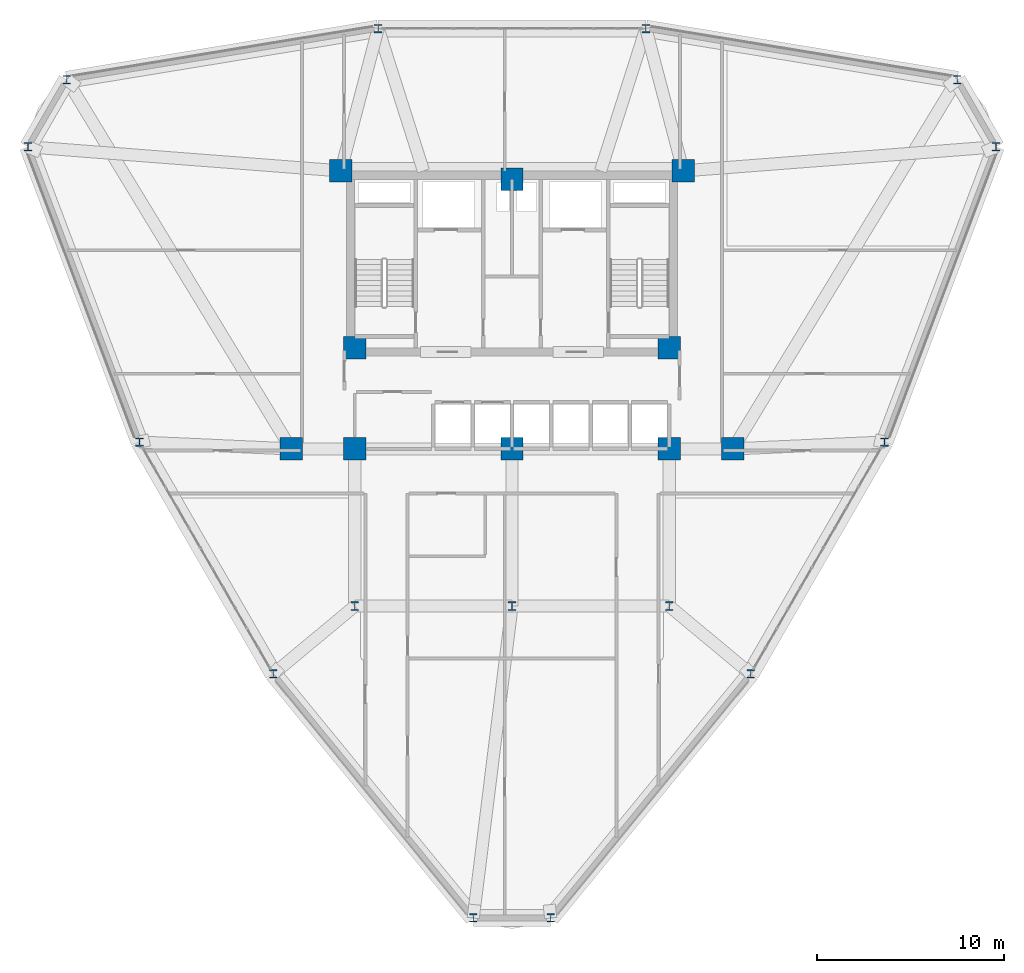
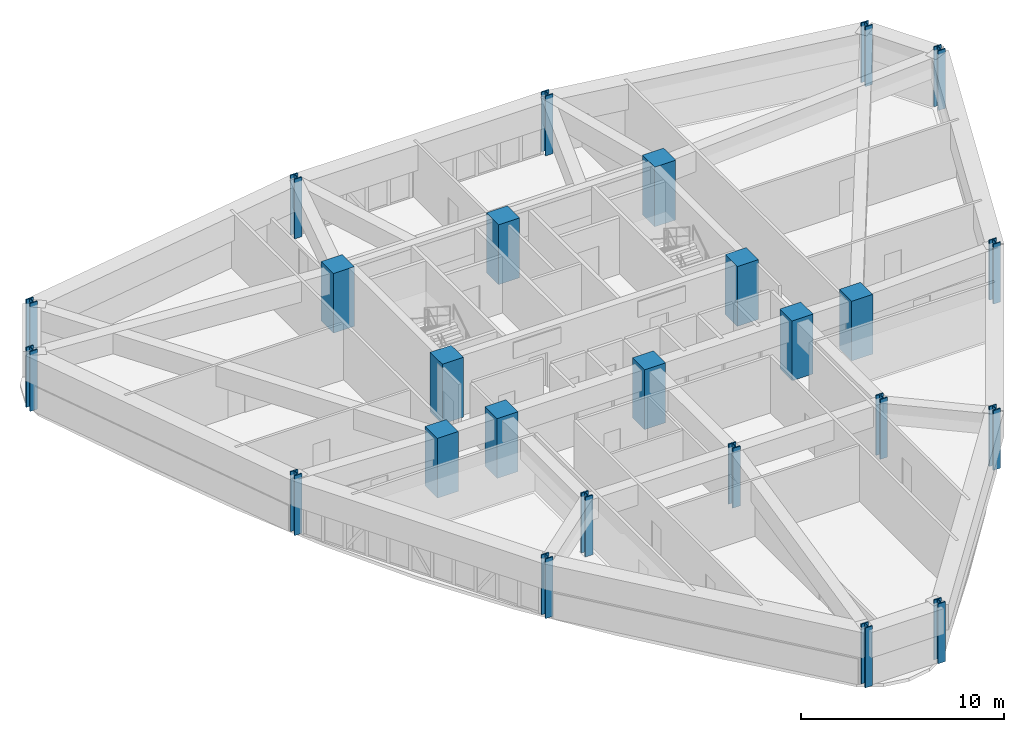
# One storey, part 1 of 16: 25 columns.
"""IFC4 building model written with IfcOpenShell, lengths in metres."""

import ifcopenshell
import ifcopenshell.guid

model = None  # the IFC model being written
_history = None  # IfcOwnerHistory: only IFC2X3 demands one
_inside = {}  # id of a spatial element -> (the spatial element, [elements in it])
_under = {}  # id of a project, library or spatial element -> (it, [spatial elements below it])
_declared = {}  # id of a project -> (the project, [libraries it declares])
_typed = {}  # id of a type object -> (the type object, [elements of that type])
_made_of = {}  # id of a material, layer set ... -> (it, [elements and type objects made of it])


def new_model(schema):
    """Start an empty IFC model of exactly this schema.

    Asked for "IFC4X3", IfcOpenShell would pick the latest addendum, in which some entities
    have other attributes; the version numbers below select the first issue.
    IFC2X3 requires an IfcOwnerHistory on every rooted entity: one is made here for all.
    """
    global model, _history
    if schema == "IFC4X3":
        model = ifcopenshell.file(schema_version=(4, 3, 0, 0))
    else:
        model = ifcopenshell.file(schema=schema)
    _inside.clear()
    _under.clear()
    _declared.clear()
    _typed.clear()
    _made_of.clear()
    _history = None
    if model.schema == "IFC2X3":
        org = make("IfcOrganization", Name="unknown")
        user = make(
            "IfcPersonAndOrganization",
            ThePerson=make("IfcPerson", FamilyName="unknown"),
            TheOrganization=org,
        )
        app = make(
            "IfcApplication",
            ApplicationDeveloper=org,
            Version="unknown",
            ApplicationFullName="unknown",
            ApplicationIdentifier="unknown",
        )
        _history = make(
            "IfcOwnerHistory",
            OwningUser=user,
            OwningApplication=app,
            ChangeAction="ADDED",
            CreationDate=0,
        )
    return model


def make(cls, **values):
    """One entity of the class cls with the attributes given. An attribute that is None is left unset."""
    return model.create_entity(
        cls, **{name: value for name, value in values.items() if value is not None}
    )


def rooted(cls, **values):
    """An entity with a GlobalId (a new one), such as an element, a storey or a relation."""
    return make(cls, GlobalId=ifcopenshell.guid.new(), OwnerHistory=_history, **values)


def si_unit(unit_type, name, prefix=None):
    """IfcSIUnit, for example si_unit("LENGTHUNIT", "METRE", prefix="MILLI")."""
    return make("IfcSIUnit", UnitType=unit_type, Prefix=prefix, Name=name)


def derived_unit(unit_type, elements):
    """IfcDerivedUnit: a product of units, each with its exponent."""
    return make(
        "IfcDerivedUnit",
        Elements=[
            make("IfcDerivedUnitElement", Unit=unit, Exponent=power)
            for unit, power in elements
        ],
        UnitType=unit_type,
    )


def assignment(units):
    """IfcUnitAssignment: the units of a project."""
    return None if units is None else make("IfcUnitAssignment", Units=units)


def point(xyz):
    """IfcCartesianPoint."""
    return None if xyz is None else make("IfcCartesianPoint", Coordinates=xyz)


def direction(xyz):
    """IfcDirection."""
    return None if xyz is None else make("IfcDirection", DirectionRatios=xyz)


def frame(location, z_axis=None, x_axis=None):
    """IfcAxis2Placement3D, a coordinate frame: its origin and axes. An axis left out is left unset."""
    return make(
        "IfcAxis2Placement3D",
        Location=point(location),
        Axis=direction(z_axis),
        RefDirection=direction(x_axis),
    )


def frame_2d(location, x_axis=None):
    """IfcAxis2Placement2D, a coordinate frame in the plane: its origin and x axis."""
    return make(
        "IfcAxis2Placement2D", Location=point(location), RefDirection=direction(x_axis)
    )


def origin():
    """The frame at (0, 0, 0) with its axes left unset."""
    return frame((0.0, 0.0, 0.0))


def origin_2d():
    """The frame at (0, 0) in the plane with its x axis left unset."""
    return frame_2d((0.0, 0.0))


def place(relative_to, where):
    """IfcLocalPlacement: puts the frame where relative to a parent placement (None: the world)."""
    return make(
        "IfcLocalPlacement", PlacementRelTo=relative_to, RelativePlacement=where
    )


def context(
    kind, dimensions, precision=None, world=None, true_north=None, identifier=None
):
    """IfcGeometricRepresentationContext, for example the 3D "Model" context."""
    return make(
        "IfcGeometricRepresentationContext",
        ContextIdentifier=identifier,
        ContextType=kind,
        CoordinateSpaceDimension=dimensions,
        Precision=precision,
        WorldCoordinateSystem=world,
        TrueNorth=true_north,
    )


def subcontext(parent, identifier, kind, view, scale=None):
    """IfcGeometricRepresentationSubContext, for example "Body" below "Model"."""
    return make(
        "IfcGeometricRepresentationSubContext",
        ContextIdentifier=identifier,
        ContextType=kind,
        ParentContext=parent,
        TargetScale=scale,
        TargetView=view,
    )


def project(units=None, contexts=None):
    """IfcProject with its units and contexts."""
    return rooted(
        "IfcProject",
        Name="project",
        RepresentationContexts=contexts,
        UnitsInContext=assignment(units),
    )


def spatial(cls, under=None, at=None, **own):
    """A site, building, storey or space (cls), placed at a placement, below another one or the project."""
    s = rooted(cls, ObjectPlacement=at, **own)
    if under is not None:
        _under.setdefault(under.id(), (under, []))[1].append(s)
    return s


def profile(cls, at=None, kind="AREA", **sizes):
    """A parametric profile (cls). Its sizes go by their IFC names, for example OverallWidth=200.0."""
    return make(cls, ProfileType=kind, Position=at, **sizes)


def rectangle(**sizes):
    """IfcRectangleProfileDef."""
    return profile("IfcRectangleProfileDef", **sizes)


def i_section(**sizes):
    """IfcIShapeProfileDef."""
    return profile("IfcIShapeProfileDef", **sizes)


def extrude(swept, where, along, depth):
    """IfcExtrudedAreaSolid: the profile swept, set in the frame where, extruded along a direction by depth."""
    return make(
        "IfcExtrudedAreaSolid",
        SweptArea=swept,
        Position=where,
        ExtrudedDirection=direction(along),
        Depth=depth,
    )


def shape(context_of_items, identifier, shape_type, items):
    """IfcShapeRepresentation: the items that make up one representation, for example the "Body"."""
    return make(
        "IfcShapeRepresentation",
        ContextOfItems=context_of_items,
        RepresentationIdentifier=identifier,
        RepresentationType=shape_type,
        Items=items,
    )


def source(mapping_origin, context_of_items, identifier, shape_type, items):
    """IfcRepresentationMap: a shape defined once, which mapped items show again and again."""
    return make(
        "IfcRepresentationMap",
        MappingOrigin=mapping_origin,
        MappedRepresentation=shape(context_of_items, identifier, shape_type, items),
    )


def transform(
    local_origin,
    x_axis=None,
    y_axis=None,
    z_axis=None,
    scale=None,
    scale2=None,
    scale3=None,
    uniform=True,
):
    """IfcCartesianTransformationOperator3D, or its non-uniform kind. x_axis, y_axis, z_axis: its Axis1, 2, 3."""
    if uniform:
        return make(
            "IfcCartesianTransformationOperator3D",
            Axis1=direction(x_axis),
            Axis2=direction(y_axis),
            LocalOrigin=point(local_origin),
            Scale=scale,
            Axis3=direction(z_axis),
        )
    return make(
        "IfcCartesianTransformationOperator3DnonUniform",
        Axis1=direction(x_axis),
        Axis2=direction(y_axis),
        LocalOrigin=point(local_origin),
        Scale=scale,
        Axis3=direction(z_axis),
        Scale2=scale2,
        Scale3=scale3,
    )


def mapped(mapping_source, mapping_target):
    """IfcMappedItem: shows the shape of a source again, moved by a transform."""
    return make(
        "IfcMappedItem", MappingSource=mapping_source, MappingTarget=mapping_target
    )


def material(Name=None, Category=None):
    """IfcMaterial."""
    return make("IfcMaterial", Name=Name, Category=Category)


def material_profile(
    of_material, cross_section, Name=None, Category=None, Priority=None
):
    """IfcMaterialProfile: a cross section and its material."""
    return make(
        "IfcMaterialProfile",
        Name=Name,
        Material=of_material,
        Profile=cross_section,
        Priority=Priority,
        Category=Category,
    )


def profile_set(profiles, Name=None, composite=None):
    """IfcMaterialProfileSet."""
    return make(
        "IfcMaterialProfileSet",
        Name=Name,
        MaterialProfiles=profiles,
        CompositeProfile=composite,
    )


def made_of(thing, what):
    """Note that an element or type object is made of a material, layer set ...; save() writes the relation."""
    if what is not None:
        _made_of.setdefault(what.id(), (what, []))[1].append(thing)
    return thing


def type_object(cls, material=None, **own):
    """A type object (cls), such as IfcWallType, which elements share."""
    return made_of(rooted(cls, **own), material)


def element(
    cls,
    number,
    at=None,
    inside=None,
    cuts=None,
    type_object=None,
    material=None,
    context=None,
    identifier="Body",
    shape_type=None,
    held_by="IfcProductDefinitionShape",
    body=None,
    shapes=None,
    **own,
):
    """One element of the class cls, such as IfcWall. Its Tag is "e" and its number.

    at: its placement. inside: the storey or other place that contains it. cuts: it is an
    opening in that element (IfcRelVoidsElement). A single representation is given by context,
    identifier, shape_type and body (its items); several are given by shapes. held_by: the class
    of the entity that holds the representations. save() writes the other relations.
    """
    e = rooted(cls, Tag="e%d" % number, ObjectPlacement=at, **own)
    if body is not None:
        shapes = [shape(context, identifier, shape_type, body)]
    if shapes is not None:
        e.Representation = make(held_by, Representations=shapes)
    if inside is not None:
        _inside.setdefault(inside.id(), (inside, []))[1].append(e)
    if cuts is not None:
        rooted(
            "IfcRelVoidsElement", RelatingBuildingElement=cuts, RelatedOpeningElement=e
        )
    if type_object is not None:
        _typed.setdefault(type_object.id(), (type_object, []))[1].append(e)
    return made_of(e, material)


def aggregate(whole, parts):
    """IfcRelAggregates: a whole, such as a stair, and the parts it consists of."""
    return rooted("IfcRelAggregates", RelatingObject=whole, RelatedObjects=parts)


def save(model, path):
    """Write the relations noted so far, then the file.

    IfcRelAggregates (storeys below a building ...), IfcRelContainedInSpatialStructure (elements
    in a storey), IfcRelDefinesByType, IfcRelAssociatesMaterial and IfcRelDeclares: one each for
    every whole, place, type object, material and project.
    """
    for whole, parts in _under.values():
        aggregate(whole, parts)
    for where, things in _inside.values():
        rooted(
            "IfcRelContainedInSpatialStructure",
            RelatedElements=things,
            RelatingStructure=where,
        )
    for kind, things in _typed.values():
        rooted("IfcRelDefinesByType", RelatedObjects=things, RelatingType=kind)
    for what, things in _made_of.values():
        rooted("IfcRelAssociatesMaterial", RelatedObjects=things, RelatingMaterial=what)
    for by, libraries in _declared.values():
        rooted("IfcRelDeclares", RelatingContext=by, RelatedDefinitions=libraries)
    model.write(path)


model = new_model("IFC4")

# Units and contexts
model_context = context("Model", 3, precision=1e-05, world=origin(), true_north=direction((0.0, 1.0)))
body_context = subcontext(model_context, "Body", "Model", "MODEL_VIEW")
ifc_project = project(units=[si_unit("LENGTHUNIT", "METRE"), si_unit("AREAUNIT", "SQUARE_METRE"), si_unit("VOLUMEUNIT", "CUBIC_METRE"), si_unit("PLANEANGLEUNIT", "RADIAN"), si_unit("MASSUNIT", "GRAM", prefix="KILO"), derived_unit("THERMALTRANSMITTANCEUNIT", [(si_unit("POWERUNIT", "WATT"), 1), (si_unit("LENGTHUNIT", "METRE"), -2), (si_unit("THERMODYNAMICTEMPERATUREUNIT", "KELVIN"), -1)])], contexts=[model_context])

# Site, building, storey
site_placement = place(None, origin())
site = spatial("IfcSite", under=ifc_project, at=site_placement, CompositionType="ELEMENT")
building_placement = place(site_placement, origin())
building = spatial("IfcBuilding", under=site, at=building_placement, Name="Korsvarv Bourse and Concert Hall", CompositionType="ELEMENT")
storey_placement = place(building_placement, frame((0.0, 0.0, 106.199951171875)))
storey = spatial("IfcBuildingStorey", under=building, at=storey_placement, Name="L26", CompositionType="ELEMENT", Elevation=106.199951171875)

# Columns
ifc_material_1 = material(Name="Concrete C60/75", Category="concrete")
ifc_material_profile_1 = material_profile(ifc_material_1, rectangle(XDim=1.199951171875, YDim=1.199951171875, at=origin_2d()), Name="RC 1200x1200")
ifc_profile_set_1 = profile_set([ifc_material_profile_1], Name="Concrete C60/75")
column_type_1 = type_object("IfcColumnType", Name="COL-RC1200", PredefinedType="COLUMN", material=ifc_profile_set_1)
shared_shape_1 = source(origin(), body_context, "Body", "SweptSolid", [
    extrude(rectangle(XDim=1.199951171875, YDim=1.199951171875, at=origin_2d()), origin(), (0.0, 0.0, 1.0), 3.60009765625),
])
for number, where, z_axis, x_axis, name in (
    (1, (26.85009765625, 47.25, 0.0), (0.0, 0.0, 1.0), (1.0, 0.0, 0.0), "L26 column C-02"),
    (2, (45.14990234375, 47.25, 0.0), (0.0, 0.0, 1.0), (1.0, 0.0, 0.0), "L26 column C-02"),
    (3, (27.60009765625, 37.800048828125, 0.0), (0.0, 0.0, 1.0), (1.0, 0.0, 0.0), "L26 column C-02"),
    (4, (44.39990234375, 37.800048828125, 0.0), (0.0, 0.0, 1.0), (1.0, 0.0, 0.0), "L26 column C-02"),
    (5, (27.60009765625, 32.39990234375, 0.0), (0.0, 0.0, 1.0), (1.0, 0.0, 0.0), "L26 column C-02"),
    (6, (44.39990234375, 32.39990234375, 0.0), (0.0, 0.0, 1.0), (1.0, 0.0, 0.0), "L26 column C-02"),
    (7, (36.0, 46.800048828125, 0.0), (0.0, 0.0, 1.0), (1.0, 0.0, 0.0), "L26 column C-02"),
    (8, (36.0, 32.39990234375, 0.0), (0.0, 0.0, 1.0), (1.0, 0.0, 0.0), "L26 column C-02"),
    (9, (24.199951171875, 32.39990234375, 0.0), (0.0, 0.0, 1.0), (1.0, 0.0, 0.0), "L26 column C-02"),
    (10, (47.800048828125, 32.39990234375, 0.0), (0.0, 0.0, 1.0), (1.0, 0.0, 0.0), "L26 column C-02"),
):
    element("IfcColumn", number, at=place(storey_placement, frame(where, z_axis=z_axis, x_axis=x_axis)), inside=storey, type_object=column_type_1, Name=name, PredefinedType="COLUMN", context=body_context, shape_type="MappedRepresentation", body=[
        mapped(shared_shape_1, transform((0.0, 0.0, 0.0), scale=1.0)),
    ])
ifc_material_2 = material(Name="Steel S460", Category="steel")
ifc_material_profile_2 = material_profile(ifc_material_2, i_section(OverallWidth=0.424072265625, OverallDepth=0.47412109375, WebThickness=0.044921875, FlangeThickness=0.072021484375, FilletRadius=0.014892578125, at=origin_2d()), Name="HD 400x634")
ifc_profile_set_2 = profile_set([ifc_material_profile_2], Name="Steel S460")
column_type_2 = type_object("IfcColumnType", Name="COL-HD634", PredefinedType="COLUMN", material=ifc_profile_set_2)
shared_shape_2 = source(origin(), body_context, "Body", "SweptSolid", [
    extrude(i_section(OverallWidth=0.424072265625, OverallDepth=0.47412109375, WebThickness=0.044921875, FlangeThickness=0.072021484375, FilletRadius=0.014892578125, at=origin_2d()), origin(), (0.0, 0.0, 1.0), 3.60009765625),
])
for number, where, z_axis, x_axis, name in (
    (11, (27.60009765625, 24.0, 0.0), (0.0, 0.0, 1.0), (1.0, 0.0, 0.0), "L26 column C-07"),
    (12, (44.39990234375, 24.0, 0.0), (0.0, 0.0, 1.0), (1.0, 0.0, 0.0), "L26 column C-07"),
    (13, (36.0, 24.0, 0.0), (0.0, 0.0, 1.0), (1.0, 0.0, 0.0), "L26 column C-07"),
):
    element("IfcColumn", number, at=place(storey_placement, frame(where, z_axis=z_axis, x_axis=x_axis)), inside=storey, type_object=column_type_2, Name=name, PredefinedType="COLUMN", context=body_context, shape_type="MappedRepresentation", body=[
        mapped(shared_shape_2, transform((0.0, 0.0, 0.0), scale=1.0)),
    ])
ifc_material_profile_3 = material_profile(ifc_material_2, i_section(OverallWidth=0.41796875, OverallDepth=0.455078125, WebThickness=0.0390625, FlangeThickness=0.06298828125, FilletRadius=0.014892578125, at=origin_2d()), Name="HD 400x551")
ifc_profile_set_3 = profile_set([ifc_material_profile_3], Name="Steel S460")
column_type_3 = type_object("IfcColumnType", Name="COL-HD551", PredefinedType="COLUMN", material=ifc_profile_set_3)
shared_shape_3 = source(origin(), body_context, "Body", "SweptSolid", [
    extrude(i_section(OverallWidth=0.41796875, OverallDepth=0.455078125, WebThickness=0.0390625, FlangeThickness=0.06298828125, FilletRadius=0.014892578125, at=origin_2d()), origin(), (0.0, 0.0, 1.0), 3.60009765625),
])
for number, where, z_axis, x_axis, name in (
    (14, (61.851318359375, 48.536865234375, 0.0), (0.0, 0.0, 1.0), (1.0, 0.0, 0.0), "L26 column C-08"),
    (15, (59.78271484375, 52.119384765625, 0.0), (0.0, 0.0, 1.0), (1.0, 0.0, 0.0), "L26 column C-08"),
    (16, (43.1494140625, 54.8515625, 0.0), (0.0, 0.0, 1.0), (1.0, 0.0, 0.0), "L26 column C-08"),
    (17, (28.8505859375, 54.8515625, 0.0), (0.0, 0.0, 1.0), (1.0, 0.0, 0.0), "L26 column C-08"),
    (18, (12.21728515625, 52.119384765625, 0.0), (0.0, 0.0, 1.0), (1.0, 0.0, 0.0), "L26 column C-08"),
    (19, (10.148681640625, 48.536865234375, 0.0), (0.0, 0.0, 1.0), (1.0, 0.0, 0.0), "L26 column C-08"),
    (20, (16.099365234375, 32.765869140625, 0.0), (0.0, 0.0, 1.0), (1.0, 0.0, 0.0), "L26 column C-08"),
    (21, (23.248779296875, 20.3828125, 0.0), (0.0, 0.0, 1.0), (1.0, 0.0, 0.0), "L26 column C-08"),
    (22, (33.931640625, 7.34375, 0.0), (0.0, 0.0, 1.0), (1.0, 0.0, 0.0), "L26 column C-08"),
    (23, (38.068359375, 7.34375, 0.0), (0.0, 0.0, 1.0), (1.0, 0.0, 0.0), "L26 column C-08"),
    (24, (48.751220703125, 20.3828125, 0.0), (0.0, 0.0, 1.0), (1.0, 0.0, 0.0), "L26 column C-08"),
    (25, (55.900634765625, 32.765869140625, 0.0), (0.0, 0.0, 1.0), (1.0, 0.0, 0.0), "L26 column C-08"),
):
    element("IfcColumn", number, at=place(storey_placement, frame(where, z_axis=z_axis, x_axis=x_axis)), inside=storey, type_object=column_type_3, Name=name, PredefinedType="COLUMN", context=body_context, shape_type="MappedRepresentation", body=[
        mapped(shared_shape_3, transform((0.0, 0.0, 0.0), scale=1.0)),
    ])

save(model, "model.ifc")
